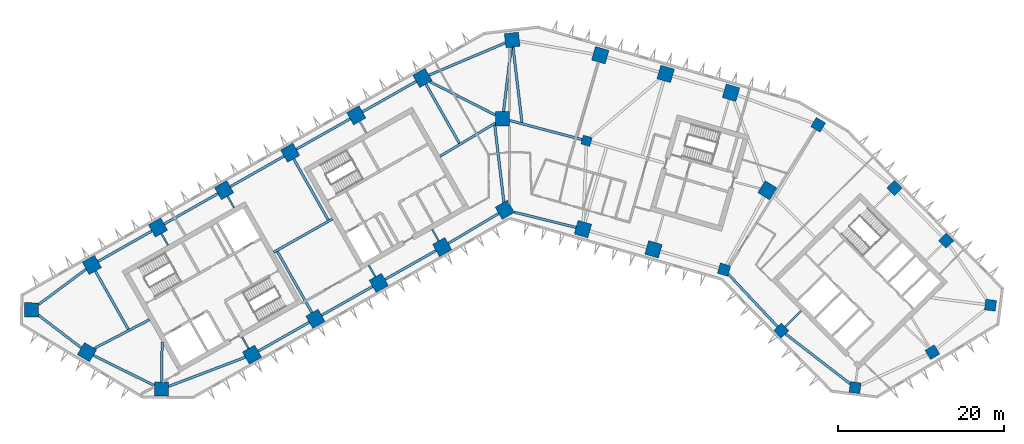
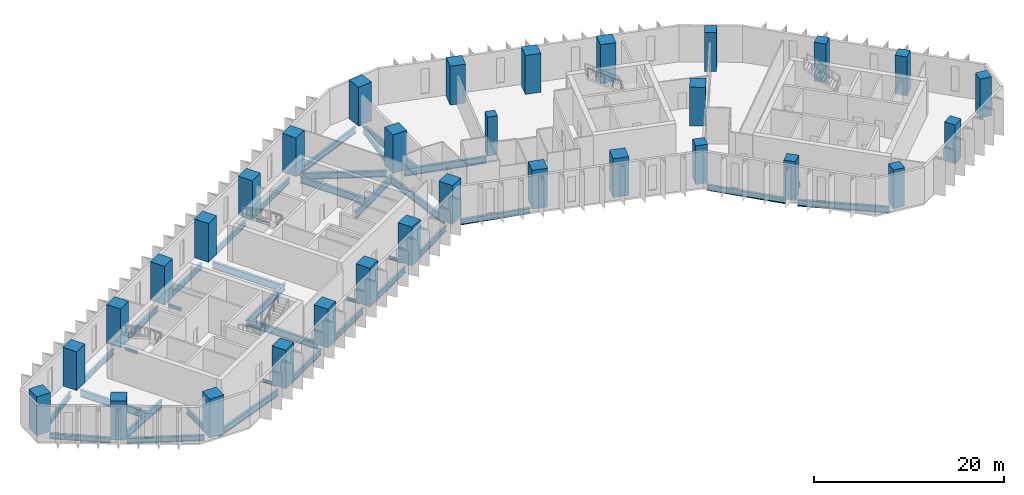
# One storey, part 1 of 11: 37 beams, 31 columns.
"""IFC4 building model written with IfcOpenShell, lengths in metres."""

from ifc_helpers import new_model, si_unit, direction, frame, origin, origin_2d, place, context, subcontext, project, spatial, rectangle, i_section, extrude, material, material_profile, profile_set, type_object, element, save


model = new_model("IFC4")

# Units and contexts
model_context = context("Model", 3, precision=1e-05, world=origin(), true_north=direction((0.0, 1.0)))
body_context = subcontext(model_context, "Body", "Model", "MODEL_VIEW")
ifc_project = project(units=[si_unit("LENGTHUNIT", "METRE"), si_unit("AREAUNIT", "SQUARE_METRE"), si_unit("VOLUMEUNIT", "CUBIC_METRE"), si_unit("PLANEANGLEUNIT", "RADIAN"), si_unit("MASSUNIT", "GRAM", prefix="KILO")], contexts=[model_context])

# Site, building, storey
site_placement = place(None, origin())
site = spatial("IfcSite", under=ifc_project, at=site_placement, CompositionType="ELEMENT")
building_placement = place(site_placement, origin())
building = spatial("IfcBuilding", under=site, at=building_placement, Name="Binnacle Exchange Tower", CompositionType="ELEMENT")
storey_placement = place(building_placement, frame((0.0, 0.0, 86.5)))
storey = spatial("IfcBuildingStorey", under=building, at=storey_placement, Name="L17", CompositionType="ELEMENT", Elevation=86.5)

# Columns
ifc_material_1 = material(Name="Concrete C60/75", Category="concrete")
ifc_material_profile_1 = material_profile(ifc_material_1, rectangle(XDim=1.10009765625, YDim=1.10009765625, at=origin_2d()), Name="Column 1100x1100 C60/75")
ifc_profile_set_1 = profile_set([ifc_material_profile_1], Name="Concrete C60/75")
column_type_1 = type_object("IfcColumnType", Name="Column 1100x1100 C60/75", PredefinedType="COLUMN", material=ifc_profile_set_1)
column_placement = place(storey_placement, frame((9.240966796875, 57.35009765625, 0.0), z_axis=(0.0, 0.0, 1.0), x_axis=(0.961261695938, -0.275637355817, 0.0)))
element("IfcColumn", 1, at=column_placement, inside=storey, type_object=column_type_1, Name="S:COL:C19:L17", PredefinedType="COLUMN", context=body_context, shape_type="SweptSolid", body=[
    extrude(rectangle(XDim=1.10009765625, YDim=1.10009765625, at=origin_2d()), origin(), (0.0, 0.0, 1.0), 5.0),
])
ifc_material_2 = material(Name="Concrete C70/85", Category="concrete")
ifc_material_profile_2 = material_profile(ifc_material_2, rectangle(XDim=1.300048828125, YDim=1.300048828125, at=origin_2d()), Name="Mega column 1300x1300 C70/85")
ifc_profile_set_2 = profile_set([ifc_material_profile_2], Name="Concrete C70/85")
column_type_2 = type_object("IfcColumnType", Name="Mega column 1300x1300 C70/85", PredefinedType="COLUMN", material=ifc_profile_set_2)
for number, where, z_axis, x_axis, name in (
    (2, (37.0849609375, 59.262451171875, 0.0), (0.0, 0.0, 1.0), (-0.859406411501, 0.511293086077, 0.0), "S:COL:MC57:L17"),
    (3, (25.766845703125, 41.85986328125, 0.0), (0.0, 0.0, 1.0), (0.961261695938, -0.275637355817, 0.0), "S:COL:MC56:L17"),
    (4, (32.64111328125, 34.530029296875, 0.0), (0.0, 0.0, 1.0), (0.7009092643, -0.713250449154, 0.0), "S:COL:MC59:L17"),
    (5, (41.519775390625, 27.6748046875, 0.0), (0.0, 0.0, 1.0), (0.99200494968, -0.126198969136, 0.0), "S:COL:MC61:L17"),
    (6, (50.81201171875, 31.930908203125, 0.0), (0.0, 0.0, 1.0), (0.857167300702, 0.51503807491, 0.0), "S:COL:MC63:L17"),
    (7, (57.799072265625, 37.5810546875, 0.0), (0.0, 0.0, 1.0), (0.126198969136, 0.99200494968, 0.0), "S:COL:MC62:L17"),
    (8, (52.466796875, 45.33935546875, 0.0), (0.0, 0.0, 1.0), (-0.7009092643, 0.713250449154, 0.0), "S:COL:MC60:L17"),
    (9, (46.248291015625, 51.667236328125, 0.0), (0.0, 0.0, 1.0), (-0.7009092643, 0.713250449154, 0.0), "S:COL:MC58:L17"),
):
    element("IfcColumn", number, at=place(storey_placement, frame(where, z_axis=z_axis, x_axis=x_axis)), inside=storey, type_object=column_type_2, Name=name, PredefinedType="COLUMN", context=body_context, shape_type="SweptSolid", body=[
        extrude(rectangle(XDim=1.300048828125, YDim=1.300048828125, at=origin_2d()), origin(), (0.0, 0.0, 1.0), 5.0),
    ])
ifc_material_profile_3 = material_profile(ifc_material_2, rectangle(XDim=1.699951171875, YDim=1.699951171875, at=origin_2d()), Name="Mega column 1700x1700 C70/85")
ifc_profile_set_3 = profile_set([ifc_material_profile_3], Name="Concrete C70/85")
column_type_3 = type_object("IfcColumnType", Name="Mega column 1700x1700 C70/85", PredefinedType="COLUMN", material=ifc_profile_set_3)
for number, where, z_axis, x_axis, name in (
    (10, (26.602783203125, 63.12353515625, 0.0), (0.0, 0.0, 1.0), (-0.961261695938, 0.275637355817, 0.0), "S:COL:MC52:L17"),
    (11, (18.746337890625, 65.376220703125, 0.0), (0.0, 0.0, 1.0), (-0.961261695938, 0.275637355817, 0.0), "S:COL:MC50:L17"),
    (12, (10.889892578125, 67.62890625, 0.0), (0.0, 0.0, 1.0), (-0.961261695938, 0.275637355817, 0.0), "S:COL:MC48:L17"),
    (13, (0.300048828125, 69.464111328125, 0.0), (0.0, 0.0, 1.0), (-0.993068456955, -0.117537397458, 0.0), "S:COL:MC47:L17"),
    (14, (-10.4951171875, 64.901611328125, 0.0), (0.0, 0.0, 1.0), (-0.87035569594, -0.492423560103, 0.0), "S:COL:MC38:L17"),
    (15, (-18.44140625, 60.406005859375, 0.0), (0.0, 0.0, 1.0), (-0.87035569594, -0.492423560103, 0.0), "S:COL:MC29:L17"),
    (16, (-26.3876953125, 55.91015625, 0.0), (0.0, 0.0, 1.0), (-0.87035569594, -0.492423560103, 0.0), "S:COL:MC21:L17"),
    (17, (-34.333740234375, 51.414306640625, 0.0), (0.0, 0.0, 1.0), (-0.87035569594, -0.492423560103, 0.0), "S:COL:MC13:L17"),
    (18, (-42.280029296875, 46.918701171875, 0.0), (0.0, 0.0, 1.0), (-0.87035569594, -0.492423560103, 0.0), "S:COL:MC08:L17"),
    (19, (-50.226318359375, 42.4228515625, 0.0), (0.0, 0.0, 1.0), (-0.87035569594, -0.492423560103, 0.0), "S:COL:MC04:L17"),
    (20, (-57.492919921875, 37.02734375, 0.0), (0.0, 0.0, 1.0), (-0.013089595571, -0.999914327574, 0.0), "S:COL:MC02:L17"),
    (21, (-50.81201171875, 31.930908203125, 0.0), (0.0, 0.0, 1.0), (0.857167300702, -0.51503807491, 0.0), "S:COL:MC01:L17"),
    (22, (-41.857666015625, 27.494873046875, 0.0), (0.0, 0.0, 1.0), (0.999914327574, -0.013089595571, 0.0), "S:COL:MC03:L17"),
    (23, (-30.9755859375, 31.63525390625, 0.0), (0.0, 0.0, 1.0), (0.87035569594, 0.492423560103, 0.0), "S:COL:MC07:L17"),
    (24, (-23.35595703125, 35.9462890625, 0.0), (0.0, 0.0, 1.0), (0.87035569594, 0.492423560103, 0.0), "S:COL:MC16:L17"),
    (25, (-15.736328125, 40.257080078125, 0.0), (0.0, 0.0, 1.0), (0.87035569594, 0.492423560103, 0.0), "S:COL:MC24:L17"),
    (26, (-8.116943359375, 44.568115234375, 0.0), (0.0, 0.0, 1.0), (0.87035569594, 0.492423560103, 0.0), "S:COL:MC35:L17"),
    (27, (-0.5908203125, 49.04443359375, 0.0), (0.0, 0.0, 1.0), (0.87035569594, 0.492423560103, 0.0), "S:COL:MC46:L17"),
    (28, (8.8095703125, 46.722412109375, 0.0), (0.0, 0.0, 1.0), (0.961261695938, -0.275637355817, 0.0), "S:COL:MC49:L17"),
    (29, (17.2880859375, 44.291015625, 0.0), (0.0, 0.0, 1.0), (0.961261695938, -0.275637355817, 0.0), "S:COL:MC51:L17"),
    (30, (30.989501953125, 51.38623046875, 0.0), (0.0, 0.0, 1.0), (0.529919264233, 0.848048096156, 0.0), "S:COL:MC55:L17"),
    (31, (-0.85009765625, 60.0, 0.0), (0.0, 0.0, 1.0), (0.0, 1.0, 0.0), "S:COL:MC45:L17"),
):
    element("IfcColumn", number, at=place(storey_placement, frame(where, z_axis=z_axis, x_axis=x_axis)), inside=storey, type_object=column_type_3, Name=name, PredefinedType="COLUMN", context=body_context, shape_type="SweptSolid", body=[
        extrude(rectangle(XDim=1.699951171875, YDim=1.699951171875, at=origin_2d()), origin(), (0.0, 0.0, 1.0), 5.0),
    ])

# Beams
ifc_material_3 = material(Name="Steel S355 (SHN355)", Category="steel")
ifc_material_profile_4 = material_profile(ifc_material_3, i_section(OverallWidth=0.300048828125, OverallDepth=0.699951171875, WebThickness=0.012939453125, FlangeThickness=0.02392578125, FilletRadius=0.028076171875, at=origin_2d()), Name="H 700x300x13x24")
ifc_profile_set_4 = profile_set([ifc_material_profile_4], Name="Steel S355 (SHN355)")
beam_type_1 = type_object("IfcBeamType", Name="Edge girder H 700x300x13x24 Steel S355 (SHN355)", PredefinedType="SPANDREL", material=ifc_profile_set_4)
beam_1_placement = place(storey_placement, frame((-56.6513671875, 36.38525390625, -0.669921875), z_axis=(0.795093040263, -0.606487474994, 0.0), x_axis=(0.606487474994, 0.795093040263, 0.0)))
element("IfcBeam", 32, at=beam_1_placement, inside=storey, type_object=beam_type_1, Name="S:BM:edge:L17:015", PredefinedType="SPANDREL", context=body_context, shape_type="SweptSolid", body=[
    extrude(i_section(OverallWidth=0.300048828125, OverallDepth=0.699951171875, WebThickness=0.012939453125, FlangeThickness=0.02392578125, FilletRadius=0.028076171875, at=origin_2d()), origin(), (0.0, 0.0, 1.0), 6.489013671875),
])
beam_2_placement = place(storey_placement, frame((-50.913818359375, 41.912353515625, -0.669921875), z_axis=(-0.80288535334, -0.59613346609, 0.0), x_axis=(0.59613346609, -0.80288535334, 0.0)))
element("IfcBeam", 33, at=beam_2_placement, inside=storey, type_object=beam_type_1, Name="S:BM:edge:L17:016", PredefinedType="SPANDREL", context=body_context, shape_type="SweptSolid", body=[
    extrude(i_section(OverallWidth=0.300048828125, OverallDepth=0.699951171875, WebThickness=0.012939453125, FlangeThickness=0.02392578125, FilletRadius=0.028076171875, at=origin_2d()), origin(), (0.0, 0.0, 1.0), 7.125244140625),
])
beam_3_placement = place(storey_placement, frame((-43.019775390625, 46.5, -0.669921875), z_axis=(-0.870364477798, -0.492408037898, 0.0), x_axis=(0.492408037898, -0.870364477798, 0.0)))
element("IfcBeam", 34, at=beam_3_placement, inside=storey, type_object=beam_type_1, Name="S:BM:edge:L17:018", PredefinedType="SPANDREL", context=body_context, shape_type="SweptSolid", body=[
    extrude(i_section(OverallWidth=0.300048828125, OverallDepth=0.699951171875, WebThickness=0.012939453125, FlangeThickness=0.02392578125, FilletRadius=0.028076171875, at=origin_2d()), origin(), (0.0, 0.0, 1.0), 7.4296875),
])
beam_4_placement = place(storey_placement, frame((-35.073486328125, 50.995849609375, -0.669921875), z_axis=(-0.870372444894, -0.492393955253, 0.0), x_axis=(0.492393955253, -0.870372444894, 0.0)))
element("IfcBeam", 35, at=beam_4_placement, inside=storey, type_object=beam_type_1, Name="S:BM:edge:L17:020", PredefinedType="SPANDREL", context=body_context, shape_type="SweptSolid", body=[
    extrude(i_section(OverallWidth=0.300048828125, OverallDepth=0.699951171875, WebThickness=0.012939453125, FlangeThickness=0.02392578125, FilletRadius=0.028076171875, at=origin_2d()), origin(), (0.0, 0.0, 1.0), 7.429931640625),
])
beam_5_placement = place(storey_placement, frame((-30.23583984375, 32.053955078125, -0.669921875), z_axis=(0.870373276953, 0.492392484473, 0.0), x_axis=(-0.492392484473, 0.870373276953, 0.0)))
element("IfcBeam", 36, at=beam_5_placement, inside=storey, type_object=beam_type_1, Name="S:BM:edge:L17:021", PredefinedType="SPANDREL", context=body_context, shape_type="SweptSolid", body=[
    extrude(i_section(OverallWidth=0.300048828125, OverallDepth=0.699951171875, WebThickness=0.012939453125, FlangeThickness=0.02392578125, FilletRadius=0.028076171875, at=origin_2d()), origin(), (0.0, 0.0, 1.0), 7.0546875),
])
beam_6_placement = place(storey_placement, frame((-27.12744140625, 55.49169921875, -0.669921875), z_axis=(-0.870350394687, -0.492432929919, 0.0), x_axis=(0.492432929919, -0.870350394687, 0.0)))
element("IfcBeam", 37, at=beam_6_placement, inside=storey, type_object=beam_type_1, Name="S:BM:edge:L17:022", PredefinedType="SPANDREL", context=body_context, shape_type="SweptSolid", body=[
    extrude(i_section(OverallWidth=0.300048828125, OverallDepth=0.699951171875, WebThickness=0.012939453125, FlangeThickness=0.02392578125, FilletRadius=0.028076171875, at=origin_2d()), origin(), (0.0, 0.0, 1.0), 7.429931640625),
])
beam_7_placement = place(storey_placement, frame((-22.6162109375, 36.36474609375, -0.669921875), z_axis=(0.870350053651, 0.492433532681, 0.0), x_axis=(-0.492433532681, 0.870350053651, 0.0)))
element("IfcBeam", 38, at=beam_7_placement, inside=storey, type_object=beam_type_1, Name="S:BM:edge:L17:023", PredefinedType="SPANDREL", context=body_context, shape_type="SweptSolid", body=[
    extrude(i_section(OverallWidth=0.300048828125, OverallDepth=0.699951171875, WebThickness=0.012939453125, FlangeThickness=0.02392578125, FilletRadius=0.028076171875, at=origin_2d()), origin(), (0.0, 0.0, 1.0), 7.054443359375),
])
beam_8_placement = place(storey_placement, frame((-19.18115234375, 59.9873046875, -0.669921875), z_axis=(-0.870364477798, -0.492408037898, 0.0), x_axis=(0.492408037898, -0.870364477798, 0.0)))
element("IfcBeam", 39, at=beam_8_placement, inside=storey, type_object=beam_type_1, Name="S:BM:edge:L17:024", PredefinedType="SPANDREL", context=body_context, shape_type="SweptSolid", body=[
    extrude(i_section(OverallWidth=0.300048828125, OverallDepth=0.699951171875, WebThickness=0.012939453125, FlangeThickness=0.02392578125, FilletRadius=0.028076171875, at=origin_2d()), origin(), (0.0, 0.0, 1.0), 7.4296875),
])
beam_9_placement = place(storey_placement, frame((-14.99658203125, 40.67578125, -0.669921875), z_axis=(0.870364886025, 0.492407316329, 0.0), x_axis=(-0.492407316329, 0.870364886025, 0.0)))
element("IfcBeam", 40, at=beam_9_placement, inside=storey, type_object=beam_type_1, Name="S:BM:edge:L17:025", PredefinedType="SPANDREL", context=body_context, shape_type="SweptSolid", body=[
    extrude(i_section(OverallWidth=0.300048828125, OverallDepth=0.699951171875, WebThickness=0.012939453125, FlangeThickness=0.02392578125, FilletRadius=0.028076171875, at=origin_2d()), origin(), (0.0, 0.0, 1.0), 7.054443359375),
])
beam_10_placement = place(storey_placement, frame((-11.23486328125, 64.483154296875, -0.669921875), z_axis=(-0.870364477798, -0.492408037898, 0.0), x_axis=(0.492408037898, -0.870364477798, 0.0)))
element("IfcBeam", 41, at=beam_10_placement, inside=storey, type_object=beam_type_1, Name="S:BM:edge:L17:026", PredefinedType="SPANDREL", context=body_context, shape_type="SweptSolid", body=[
    extrude(i_section(OverallWidth=0.300048828125, OverallDepth=0.699951171875, WebThickness=0.012939453125, FlangeThickness=0.02392578125, FilletRadius=0.028076171875, at=origin_2d()), origin(), (0.0, 0.0, 1.0), 7.4296875),
])
beam_11_placement = place(storey_placement, frame((-7.38623046875, 45.002685546875, -0.669921875), z_axis=(0.859464815262, 0.511194905419, 0.0), x_axis=(-0.511194905419, 0.859464815262, 0.0)))
element("IfcBeam", 42, at=beam_11_placement, inside=storey, type_object=beam_type_1, Name="S:BM:edge:L17:027", PredefinedType="SPANDREL", context=body_context, shape_type="SweptSolid", body=[
    extrude(i_section(OverallWidth=0.300048828125, OverallDepth=0.699951171875, WebThickness=0.012939453125, FlangeThickness=0.02392578125, FilletRadius=0.028076171875, at=origin_2d()), origin(), (0.0, 0.0, 1.0), 7.056396484375),
])
beam_12_placement = place(storey_placement, frame((0.54443359375, 48.763916015625, -0.669921875), z_axis=(0.970818997342, -0.239813415805, 0.0), x_axis=(0.239813415805, 0.970818997342, 0.0)))
element("IfcBeam", 43, at=beam_12_placement, inside=storey, type_object=beam_type_1, Name="S:BM:edge:L17:029", PredefinedType="SPANDREL", context=body_context, shape_type="SweptSolid", body=[
    extrude(i_section(OverallWidth=0.300048828125, OverallDepth=0.699951171875, WebThickness=0.012939453125, FlangeThickness=0.02392578125, FilletRadius=0.028076171875, at=origin_2d()), origin(), (0.0, 0.0, 1.0), 7.662841796875),
])
ifc_material_profile_5 = material_profile(ifc_material_3, i_section(OverallWidth=0.302001953125, OverallDepth=0.7080078125, WebThickness=0.014892578125, FlangeThickness=0.028076171875, FilletRadius=0.028076171875, at=origin_2d()), Name="H 708x302x15x28")
ifc_profile_set_5 = profile_set([ifc_material_profile_5], Name="Steel S355 (SHN355)")
beam_type_2 = type_object("IfcBeamType", Name="Edge girder H 708x302x15x28 Steel S355 (SHN355)", PredefinedType="SPANDREL", material=ifc_profile_set_5)
beam_13_placement = place(storey_placement, frame((-50.0478515625, 31.55224609375, -0.674072265625), z_axis=(0.896059216286, -0.443934545749, 0.0), x_axis=(0.443934545749, 0.896059216286, 0.0)))
element("IfcBeam", 44, at=beam_13_placement, inside=storey, type_object=beam_type_2, Name="S:BM:edge:L17:017", PredefinedType="SPANDREL", context=body_context, shape_type="SweptSolid", body=[
    extrude(i_section(OverallWidth=0.302001953125, OverallDepth=0.7080078125, WebThickness=0.014892578125, FlangeThickness=0.028076171875, FilletRadius=0.028076171875, at=origin_2d()), origin(), (0.0, 0.0, 1.0), 8.197509765625),
])
beam_14_placement = place(storey_placement, frame((26.284912109375, 41.3076171875, -0.674072265625), z_axis=(0.684056711164, -0.729428828544, 0.0), x_axis=(0.729428828544, 0.684056711164, 0.0)))
element("IfcBeam", 45, at=beam_14_placement, inside=storey, type_object=beam_type_2, Name="S:BM:edge:L17:035", PredefinedType="SPANDREL", context=body_context, shape_type="SweptSolid", body=[
    extrude(i_section(OverallWidth=0.302001953125, OverallDepth=0.7080078125, WebThickness=0.014892578125, FlangeThickness=0.028076171875, FilletRadius=0.028076171875, at=origin_2d()), origin(), (0.0, 0.0, 1.0), 8.6416015625),
])
ifc_material_profile_6 = material_profile(ifc_material_3, i_section(OverallWidth=0.302001953125, OverallDepth=0.80810546875, WebThickness=0.01611328125, FlangeThickness=0.030029296875, FilletRadius=0.028076171875, at=origin_2d()), Name="H 808x302x16x30")
ifc_profile_set_6 = profile_set([ifc_material_profile_6], Name="Steel S355 (SHN355)")
beam_type_3 = type_object("IfcBeamType", Name="Edge girder H 808x302x16x30 Steel S355 (SHN355)", PredefinedType="SPANDREL", material=ifc_profile_set_6)
beam_15_placement = place(storey_placement, frame((-41.00341796875, 27.81982421875, -0.72412109375), z_axis=(0.934628738252, 0.355624973297, 0.0), x_axis=(-0.355624973297, 0.934628738252, 0.0)))
element("IfcBeam", 46, at=beam_15_placement, inside=storey, type_object=beam_type_3, Name="S:BM:edge:L17:019", PredefinedType="SPANDREL", context=body_context, shape_type="SweptSolid", body=[
    extrude(i_section(OverallWidth=0.302001953125, OverallDepth=0.80810546875, WebThickness=0.01611328125, FlangeThickness=0.030029296875, FilletRadius=0.028076171875, at=origin_2d()), origin(), (0.0, 0.0, 1.0), 9.869384765625),
])
beam_16_placement = place(storey_placement, frame((-0.51513671875, 69.11962890625, -0.72412109375), z_axis=(-0.921111373297, -0.389299162578, 0.0), x_axis=(0.389299162578, -0.921111373297, 0.0)))
element("IfcBeam", 47, at=beam_16_placement, inside=storey, type_object=beam_type_3, Name="S:BM:edge:L17:028", PredefinedType="SPANDREL", context=body_context, shape_type="SweptSolid", body=[
    extrude(i_section(OverallWidth=0.302001953125, OverallDepth=0.80810546875, WebThickness=0.01611328125, FlangeThickness=0.030029296875, FilletRadius=0.028076171875, at=origin_2d()), origin(), (0.0, 0.0, 1.0), 9.978759765625),
])
beam_17_placement = place(storey_placement, frame((33.160400390625, 34.12890625, -0.72412109375), z_axis=(0.791533490776, -0.611125791454, 0.0), x_axis=(0.611125791454, 0.791533490776, 0.0)))
element("IfcBeam", 48, at=beam_17_placement, inside=storey, type_object=beam_type_3, Name="S:BM:edge:L17:036", PredefinedType="SPANDREL", context=body_context, shape_type="SweptSolid", body=[
    extrude(i_section(OverallWidth=0.302001953125, OverallDepth=0.80810546875, WebThickness=0.01611328125, FlangeThickness=0.030029296875, FilletRadius=0.028076171875, at=origin_2d()), origin(), (0.0, 0.0, 1.0), 9.80712890625),
])
ifc_material_profile_7 = material_profile(ifc_material_3, i_section(OverallWidth=0.199951171875, OverallDepth=0.39990234375, WebThickness=0.008056640625, FlangeThickness=0.012939453125, FilletRadius=0.01611328125, at=origin_2d()), Name="H 400x200x8x13")
ifc_profile_set_7 = profile_set([ifc_material_profile_7], Name="Steel S355 (SHN355)")
beam_type_4 = type_object("IfcBeamType", Name="Floor beam H 400x200x8x13 Steel S355 (SHN355)", PredefinedType="BEAM", material=ifc_profile_set_7)
beam_18_placement = place(storey_placement, frame((-41.861328125, 46.178955078125, -0.52001953125), z_axis=(0.492366981934, -0.870387703901, 0.0), x_axis=(0.870387703901, 0.492366981934, 0.0)))
element("IfcBeam", 49, at=beam_18_placement, inside=storey, type_object=beam_type_4, Name="S:BM:cross:L17:044", PredefinedType="BEAM", context=body_context, shape_type="SweptSolid", body=[
    extrude(i_section(OverallWidth=0.199951171875, OverallDepth=0.39990234375, WebThickness=0.008056640625, FlangeThickness=0.012939453125, FilletRadius=0.01611328125, at=origin_2d()), origin(), (0.0, 0.0, 1.0), 1.584228515625),
])
beam_19_placement = place(storey_placement, frame((-33.915283203125, 50.674560546875, -0.52001953125), z_axis=(0.492483715062, -0.870321659158, 0.0), x_axis=(0.870321659158, 0.492483715062, 0.0)))
element("IfcBeam", 50, at=beam_19_placement, inside=storey, type_object=beam_type_4, Name="S:BM:cross:L17:046", PredefinedType="BEAM", context=body_context, shape_type="SweptSolid", body=[
    extrude(i_section(OverallWidth=0.199951171875, OverallDepth=0.39990234375, WebThickness=0.008056640625, FlangeThickness=0.012939453125, FilletRadius=0.01611328125, at=origin_2d()), origin(), (0.0, 0.0, 1.0), 1.58447265625),
])
for number, where, z_axis, x_axis, name in (
    (51, (-31.394287109375, 32.375, -0.52001953125), (-0.492366981934, 0.870387703901, 0.0), (-0.870387703901, -0.492366981934, 0.0), "S:BM:cross:L17:047"),
    (52, (-18.022705078125, 59.666259765625, -0.52001953125), (0.492366981934, -0.870387703901, 0.0), (0.870387703901, 0.492366981934, 0.0), "S:BM:cross:L17:050"),
    (53, (-16.155029296875, 40.9970703125, -0.52001953125), (-0.492366981934, 0.870387703901, 0.0), (-0.870387703901, -0.492366981934, 0.0), "S:BM:cross:L17:051"),
):
    element("IfcBeam", number, at=place(storey_placement, frame(where, z_axis=z_axis, x_axis=x_axis)), inside=storey, type_object=beam_type_4, Name=name, PredefinedType="BEAM", context=body_context, shape_type="SweptSolid", body=[
        extrude(i_section(OverallWidth=0.199951171875, OverallDepth=0.39990234375, WebThickness=0.008056640625, FlangeThickness=0.012939453125, FilletRadius=0.01611328125, at=origin_2d()), origin(), (0.0, 0.0, 1.0), 1.584228515625),
    ])
beam_20_placement = place(storey_placement, frame((-8.535400390625, 45.307861328125, -0.52001953125), z_axis=(-0.492483715062, 0.870321659158, 0.0), x_axis=(-0.870321659158, -0.492483715062, 0.0)))
element("IfcBeam", 54, at=beam_20_placement, inside=storey, type_object=beam_type_4, Name="S:BM:cross:L17:053", PredefinedType="BEAM", context=body_context, shape_type="SweptSolid", body=[
    extrude(i_section(OverallWidth=0.199951171875, OverallDepth=0.39990234375, WebThickness=0.008056640625, FlangeThickness=0.012939453125, FilletRadius=0.01611328125, at=origin_2d()), origin(), (0.0, 0.0, 1.0), 1.58447265625),
])
ifc_material_profile_8 = material_profile(ifc_material_3, i_section(OverallWidth=0.199951171875, OverallDepth=0.449951171875, WebThickness=0.009033203125, FlangeThickness=0.013916015625, FilletRadius=0.01806640625, at=origin_2d()), Name="H 450x200x9x14")
ifc_profile_set_8 = profile_set([ifc_material_profile_8], Name="Steel S355 (SHN355)")
beam_type_5 = type_object("IfcBeamType", Name="Floor beam H 450x200x9x14 Steel S355 (SHN355)", PredefinedType="BEAM", material=ifc_profile_set_8)
beam_21_placement = place(storey_placement, frame((33.104736328125, 34.985595703125, -0.544921875), z_axis=(0.713254209224, 0.700905438004, 0.0), x_axis=(-0.700905438004, 0.713254209224, 0.0)))
element("IfcBeam", 55, at=beam_21_placement, inside=storey, type_object=beam_type_5, Name="S:BM:cross:L17:061", PredefinedType="BEAM", context=body_context, shape_type="SweptSolid", body=[
    extrude(i_section(OverallWidth=0.199951171875, OverallDepth=0.449951171875, WebThickness=0.009033203125, FlangeThickness=0.013916015625, FilletRadius=0.01806640625, at=origin_2d()), origin(), (0.0, 0.0, 1.0), 2.70849609375),
])
ifc_material_profile_9 = material_profile(ifc_material_3, i_section(OverallWidth=0.300048828125, OverallDepth=0.699951171875, WebThickness=0.012939453125, FlangeThickness=0.02392578125, FilletRadius=0.028076171875, at=origin_2d()), Name="H 700x300x13x24")
ifc_profile_set_9 = profile_set([ifc_material_profile_9], Name="Steel S355 (SHN355)")
beam_type_6 = type_object("IfcBeamType", Name="Floor beam H 700x300x13x24 Steel S355 (SHN355)", PredefinedType="BEAM", material=ifc_profile_set_9)
beam_22_placement = place(storey_placement, frame((-41.8466796875, 28.3447265625, -0.669921875), z_axis=(0.013120628196, 0.999913920853, 0.0), x_axis=(-0.999913920853, 0.013120628196, 0.0)))
element("IfcBeam", 56, at=beam_22_placement, inside=storey, type_object=beam_type_6, Name="S:BM:cross:L17:045", PredefinedType="BEAM", context=body_context, shape_type="SweptSolid", body=[
    extrude(i_section(OverallWidth=0.300048828125, OverallDepth=0.699951171875, WebThickness=0.012939453125, FlangeThickness=0.02392578125, FilletRadius=0.028076171875, at=origin_2d()), origin(), (0.0, 0.0, 1.0), 4.80078125),
])
ifc_material_profile_10 = material_profile(ifc_material_3, i_section(OverallWidth=0.300048828125, OverallDepth=0.89990234375, WebThickness=0.01611328125, FlangeThickness=0.028076171875, FilletRadius=0.028076171875, at=origin_2d()), Name="H 900x300x16x28")
ifc_profile_set_10 = profile_set([ifc_material_profile_10], Name="Steel S355 (SHN355)")
beam_type_7 = type_object("IfcBeamType", Name="Floor beam H 900x300x16x28 Steel S355 (SHN355)", PredefinedType="BEAM", material=ifc_profile_set_10)
beam_23_placement = place(storey_placement, frame((-49.8076171875, 41.68310546875, -0.77001953125), z_axis=(0.492423370769, -0.87035580306, 0.0), x_axis=(0.87035580306, 0.492423370769, 0.0)))
element("IfcBeam", 57, at=beam_23_placement, inside=storey, type_object=beam_type_7, Name="S:BM:cross:L17:043", PredefinedType="BEAM", context=body_context, shape_type="SweptSolid", body=[
    extrude(i_section(OverallWidth=0.300048828125, OverallDepth=0.89990234375, WebThickness=0.01611328125, FlangeThickness=0.028076171875, FilletRadius=0.028076171875, at=origin_2d()), origin(), (0.0, 0.0, 1.0), 8.041259765625),
])
beam_24_placement = place(storey_placement, frame((-10.076416015625, 64.161865234375, -0.77001953125), z_axis=(0.492410737926, -0.870362950254, 0.0), x_axis=(0.870362950254, 0.492410737926, 0.0)))
element("IfcBeam", 58, at=beam_24_placement, inside=storey, type_object=beam_type_7, Name="S:BM:cross:L17:052", PredefinedType="BEAM", context=body_context, shape_type="SweptSolid", body=[
    extrude(i_section(OverallWidth=0.300048828125, OverallDepth=0.89990234375, WebThickness=0.01611328125, FlangeThickness=0.028076171875, FilletRadius=0.028076171875, at=origin_2d()), origin(), (0.0, 0.0, 1.0), 8.16943359375),
])
ifc_material_profile_11 = material_profile(ifc_material_3, i_section(OverallWidth=0.302001953125, OverallDepth=0.912109375, WebThickness=0.01806640625, FlangeThickness=0.033935546875, FilletRadius=0.028076171875, at=origin_2d()), Name="H 912x302x18x34")
ifc_profile_set_11 = profile_set([ifc_material_profile_11], Name="Steel S355 (SHN355)")
beam_type_8 = type_object("IfcBeamType", Name="Floor beam H 912x302x18x34 Steel S355 (SHN355)", PredefinedType="BEAM", material=ifc_profile_set_11)
for number, where, z_axis, x_axis, name in (
    (59, (-25.968994140625, 55.17041015625, -0.77587890625), (0.492409177884, -0.870363832851, 0.0), (0.870363832851, 0.492409177884, 0.0), "S:BM:cross:L17:048"),
    (60, (-23.774658203125, 36.68603515625, -0.77587890625), (-0.492409177884, 0.870363832851, 0.0), (-0.870363832851, -0.492409177884, 0.0), "S:BM:cross:L17:049"),
):
    element("IfcBeam", number, at=place(storey_placement, frame(where, z_axis=z_axis, x_axis=x_axis)), inside=storey, type_object=beam_type_8, Name=name, PredefinedType="BEAM", context=body_context, shape_type="SweptSolid", body=[
        extrude(i_section(OverallWidth=0.302001953125, OverallDepth=0.912109375, WebThickness=0.01806640625, FlangeThickness=0.033935546875, FilletRadius=0.028076171875, at=origin_2d()), origin(), (0.0, 0.0, 1.0), 8.43408203125),
    ])
ifc_material_profile_12 = material_profile(ifc_material_3, i_section(OverallWidth=0.302978515625, OverallDepth=0.91796875, WebThickness=0.01904296875, FlangeThickness=0.037109375, FilletRadius=0.028076171875, at=origin_2d()), Name="H 918x303x19x37")
ifc_profile_set_12 = profile_set([ifc_material_profile_12], Name="Steel S355 (SHN355)")
beam_type_9 = type_object("IfcBeamType", Name="Floor beam H 918x303x19x37 Steel S355 (SHN355)", PredefinedType="BEAM", material=ifc_profile_set_12)
beam_25_placement = place(storey_placement, frame((-0.69921875, 49.959716796875, -0.779052734375), z_axis=(-0.117528717449, 0.993069484263, 0.0), x_axis=(-0.993069484263, -0.117528717449, 0.0)))
element("IfcBeam", 61, at=beam_25_placement, inside=storey, type_object=beam_type_9, Name="S:BM:cross:L17:054", PredefinedType="BEAM", context=body_context, shape_type="SweptSolid", body=[
    extrude(i_section(OverallWidth=0.302978515625, OverallDepth=0.91796875, WebThickness=0.01904296875, FlangeThickness=0.037109375, FilletRadius=0.028076171875, at=origin_2d()), origin(), (0.0, 0.0, 1.0), 9.374755859375),
])
beam_26_placement = place(storey_placement, frame((0.39990234375, 68.6201171875, -0.779052734375), z_axis=(0.117562643201, -0.993065468599, 0.0), x_axis=(0.993065468599, 0.117562643201, 0.0)))
element("IfcBeam", 62, at=beam_26_placement, inside=storey, type_object=beam_type_9, Name="S:BM:cross:L17:055", PredefinedType="BEAM", context=body_context, shape_type="SweptSolid", body=[
    extrude(i_section(OverallWidth=0.302978515625, OverallDepth=0.91796875, WebThickness=0.01904296875, FlangeThickness=0.037109375, FilletRadius=0.028076171875, at=origin_2d()), origin(), (0.0, 0.0, 1.0), 9.14990234375),
])
ifc_material_profile_13 = material_profile(ifc_material_3, i_section(OverallWidth=0.302001953125, OverallDepth=0.7080078125, WebThickness=0.014892578125, FlangeThickness=0.028076171875, FilletRadius=0.028076171875, at=origin_2d()), Name="H 708x302x15x28")
ifc_profile_set_13 = profile_set([ifc_material_profile_13], Name="Steel S355 (SHN355)")
beam_type_10 = type_object("IfcBeamType", Name="Spine girder H 708x302x15x28 Steel S355 (SHN355)", PredefinedType="BEAM", material=ifc_profile_set_13)
beam_27_placement = place(storey_placement, frame((-0.74658203125, 60.85009765625, -0.674072265625), z_axis=(0.120621974738, 0.992698513755, 0.0), x_axis=(-0.992698513755, 0.120621974738, 0.0)))
element("IfcBeam", 63, at=beam_27_placement, inside=storey, type_object=beam_type_10, Name="S:BM:spine:L17:005", PredefinedType="BEAM", context=body_context, shape_type="SweptSolid", body=[
    extrude(i_section(OverallWidth=0.302001953125, OverallDepth=0.7080078125, WebThickness=0.014892578125, FlangeThickness=0.028076171875, FilletRadius=0.028076171875, at=origin_2d()), origin(), (0.0, 0.0, 1.0), 7.802490234375),
])
ifc_material_profile_14 = material_profile(ifc_material_3, i_section(OverallWidth=0.302001953125, OverallDepth=0.80810546875, WebThickness=0.01611328125, FlangeThickness=0.030029296875, FilletRadius=0.028076171875, at=origin_2d()), Name="H 808x302x16x30")
ifc_profile_set_14 = profile_set([ifc_material_profile_14], Name="Steel S355 (SHN355)")
beam_type_11 = type_object("IfcBeamType", Name="Spine girder H 808x302x16x30 Steel S355 (SHN355)", PredefinedType="BEAM", material=ifc_profile_set_14)
beam_28_placement = place(storey_placement, frame((-1.699951171875, 60.431884765625, -0.72412109375), z_axis=(-0.891471296315, 0.45307717648, 0.0), x_axis=(-0.45307717648, -0.891471296315, 0.0)))
element("IfcBeam", 64, at=beam_28_placement, inside=storey, type_object=beam_type_11, Name="S:BM:spine:L17:004", PredefinedType="BEAM", context=body_context, shape_type="SweptSolid", body=[
    extrude(i_section(OverallWidth=0.302001953125, OverallDepth=0.80810546875, WebThickness=0.01611328125, FlangeThickness=0.030029296875, FilletRadius=0.028076171875, at=origin_2d()), origin(), (0.0, 0.0, 1.0), 8.845703125),
])
ifc_material_profile_15 = material_profile(ifc_material_3, i_section(OverallWidth=0.300048828125, OverallDepth=0.89990234375, WebThickness=0.01611328125, FlangeThickness=0.028076171875, FilletRadius=0.028076171875, at=origin_2d()), Name="H 900x300x16x28")
ifc_profile_set_15 = profile_set([ifc_material_profile_15], Name="Steel S355 (SHN355)")
beam_type_12 = type_object("IfcBeamType", Name="Spine girder H 900x300x16x28 Steel S355 (SHN355)", PredefinedType="BEAM", material=ifc_profile_set_15)
beam_29_placement = place(storey_placement, frame((-49.927734375, 32.391357421875, -0.77001953125), z_axis=(0.886979965344, 0.461807904954, 0.0), x_axis=(-0.461807904954, 0.886979965344, 0.0)))
element("IfcBeam", 65, at=beam_29_placement, inside=storey, type_object=beam_type_12, Name="S:BM:spine:L17:001", PredefinedType="BEAM", context=body_context, shape_type="SweptSolid", body=[
    extrude(i_section(OverallWidth=0.300048828125, OverallDepth=0.89990234375, WebThickness=0.01611328125, FlangeThickness=0.028076171875, FilletRadius=0.028076171875, at=origin_2d()), origin(), (0.0, 0.0, 1.0), 7.463623046875),
])
beam_30_placement = place(storey_placement, frame((-8.36328125, 55.489990234375, -0.77001953125), z_axis=(0.857393122678, 0.514662057261, 0.0), x_axis=(-0.514662057261, 0.857393122678, 0.0)))
element("IfcBeam", 66, at=beam_30_placement, inside=storey, type_object=beam_type_12, Name="S:BM:spine:L17:003", PredefinedType="BEAM", context=body_context, shape_type="SweptSolid", body=[
    extrude(i_section(OverallWidth=0.300048828125, OverallDepth=0.89990234375, WebThickness=0.01611328125, FlangeThickness=0.028076171875, FilletRadius=0.028076171875, at=origin_2d()), origin(), (0.0, 0.0, 1.0), 7.771728515625),
])
ifc_material_profile_16 = material_profile(ifc_material_3, i_section(OverallWidth=0.302001953125, OverallDepth=0.912109375, WebThickness=0.01806640625, FlangeThickness=0.033935546875, FilletRadius=0.028076171875, at=origin_2d()), Name="H 912x302x18x34")
ifc_profile_set_16 = profile_set([ifc_material_profile_16], Name="Steel S355 (SHN355)")
beam_type_13 = type_object("IfcBeamType", Name="Spine girder H 912x302x18x34 Steel S355 (SHN355)", PredefinedType="BEAM", material=ifc_profile_set_16)
beam_31_placement = place(storey_placement, frame((-28.365478515625, 43.951416015625, -0.77587890625), z_axis=(0.870350319004, 0.492433063684, 0.0), x_axis=(-0.492433063684, 0.870350319004, 0.0)))
element("IfcBeam", 67, at=beam_31_placement, inside=storey, type_object=beam_type_13, Name="S:BM:spine:L17:002", PredefinedType="BEAM", context=body_context, shape_type="SweptSolid", body=[
    extrude(i_section(OverallWidth=0.302001953125, OverallDepth=0.912109375, WebThickness=0.01806640625, FlangeThickness=0.033935546875, FilletRadius=0.028076171875, at=origin_2d()), origin(), (0.0, 0.0, 1.0), 8.0908203125),
])
ifc_material_profile_17 = material_profile(ifc_material_3, i_section(OverallWidth=0.302978515625, OverallDepth=0.91796875, WebThickness=0.01904296875, FlangeThickness=0.037109375, FilletRadius=0.028076171875, at=origin_2d()), Name="H 918x303x19x37")
ifc_profile_set_17 = profile_set([ifc_material_profile_17], Name="Steel S355 (SHN355)")
beam_type_14 = type_object("IfcBeamType", Name="Spine girder H 918x303x19x37 Steel S355 (SHN355)", PredefinedType="BEAM", material=ifc_profile_set_17)
beam_32_placement = place(storey_placement, frame((0.0, 59.77685546875, -0.779052734375), z_axis=(0.967208571477, -0.253983423202, 0.0), x_axis=(0.253983423202, 0.967208571477, 0.0)))
element("IfcBeam", 68, at=beam_32_placement, inside=storey, type_object=beam_type_14, Name="S:BM:spine:L17:006", PredefinedType="BEAM", context=body_context, shape_type="SweptSolid", body=[
    extrude(i_section(OverallWidth=0.302978515625, OverallDepth=0.91796875, WebThickness=0.01904296875, FlangeThickness=0.037109375, FilletRadius=0.028076171875, at=origin_2d()), origin(), (0.0, 0.0, 1.0), 9.00390625),
])

save(model, "model.ifc")
